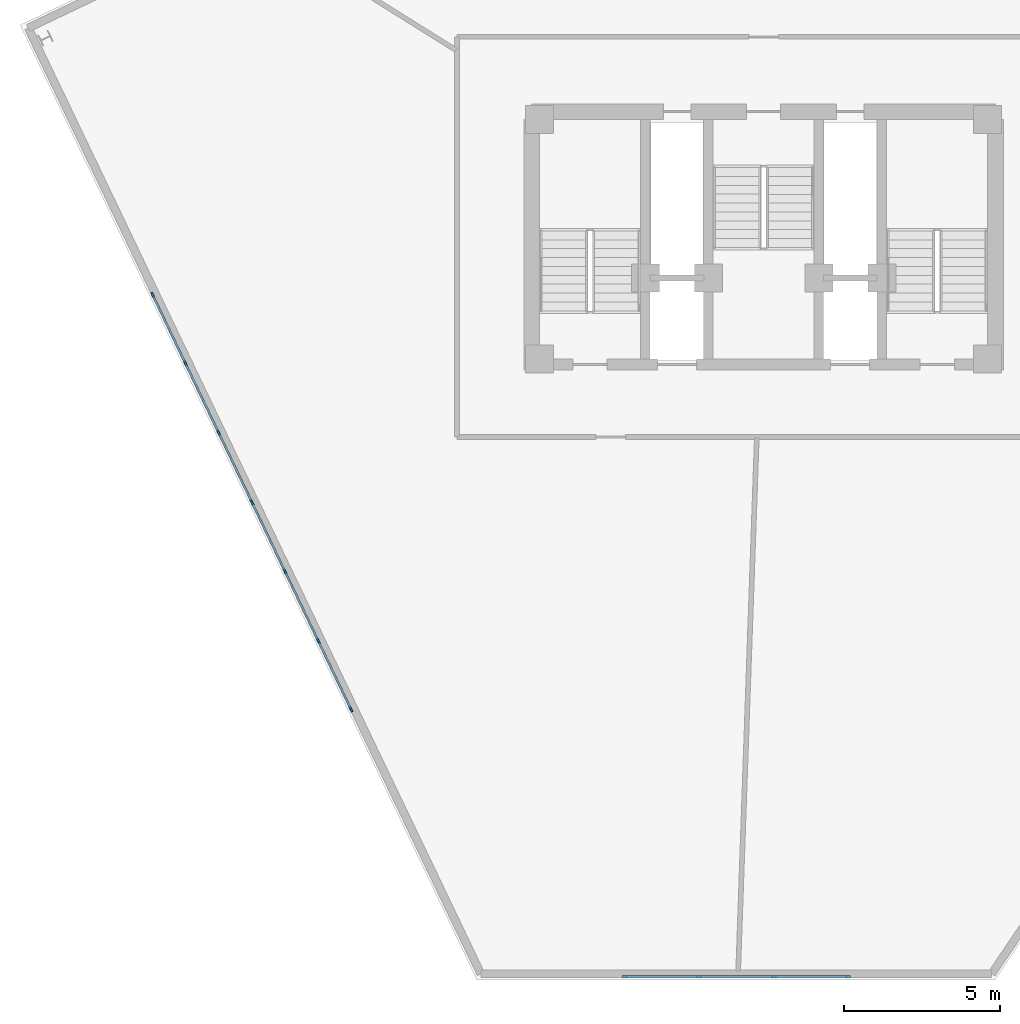
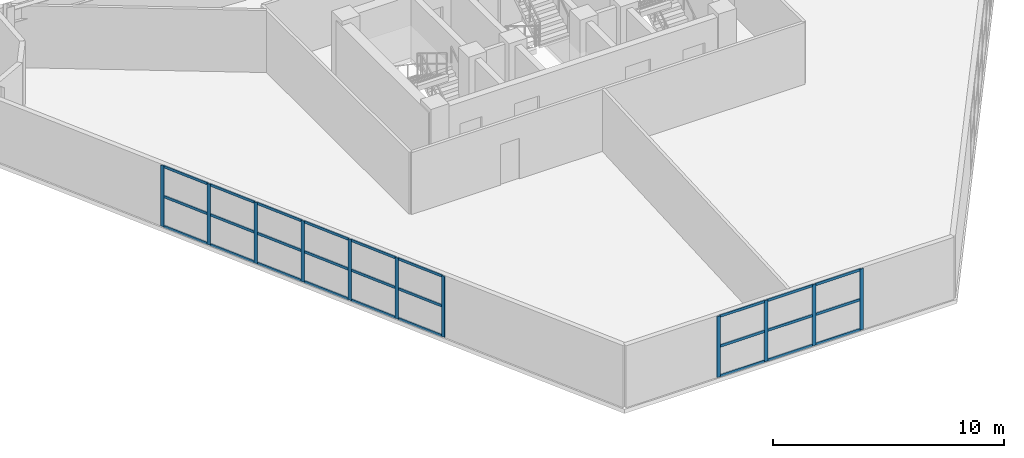
# One storey, part 3 of 8: 38 members, 2 elements without a shape of their own.
"""IFC4 building model written with IfcOpenShell, lengths in metres."""

from ifc_helpers import new_model, si_unit, direction, frame, origin, origin_2d, place, context, subcontext, project, spatial, rectangle, extrude, material, layer, layer_set, material_profile, profile_set, type_object, element, aggregate, save


model = new_model("IFC4")

# Units and contexts
model_context = context("Model", 3, precision=1e-05, world=origin(), true_north=direction((0.0, 1.0)))
body_context = subcontext(model_context, "Body", "Model", "MODEL_VIEW")
ifc_project = project(units=[si_unit("LENGTHUNIT", "METRE"), si_unit("AREAUNIT", "SQUARE_METRE"), si_unit("VOLUMEUNIT", "CUBIC_METRE"), si_unit("PLANEANGLEUNIT", "RADIAN"), si_unit("MASSUNIT", "GRAM", prefix="KILO")], contexts=[model_context])

# Site, building, storey
site_placement = place(None, origin())
site = spatial("IfcSite", under=ifc_project, at=site_placement, CompositionType="ELEMENT")
building_placement = place(site_placement, origin())
building = spatial("IfcBuilding", under=site, at=building_placement, Name="Apsidion Concourse Tower", CompositionType="ELEMENT")
storey_placement = place(building_placement, frame((0.0, 0.0, 336.0)))
storey = spatial("IfcBuildingStorey", under=building, at=storey_placement, Name="L79", CompositionType="ELEMENT", Elevation=336.0)

# Curtain wall, members
ifc_material_1 = material(Name="Insulated laminated low-E glass", Category="glass")
ifc_layer = layer(ifc_material_1, 0.239990234375)
ifc_layer_set = layer_set([ifc_layer], Name="Insulated laminated low-E glass")
curtain_wall_type = type_object("IfcCurtainWallType", Name="CW-SYS-06", PredefinedType="NOTDEFINED", material=ifc_layer_set)
curtain_wall_1_placement = place(storey_placement, origin())
curtain_wall_1 = element("IfcCurtainWall", 1, at=curtain_wall_1_placement, inside=storey, type_object=curtain_wall_type, Name="L79 Slanted Crown Curtain Wall 9", PredefinedType="NOTDEFINED")
ifc_material_2 = material(Name="Anodised aluminium EN AW-6063 T6", Category="aluminium")
ifc_material_profile_1 = material_profile(ifc_material_2, rectangle(XDim=0.06494140625, YDim=0.179931640625, at=origin_2d()), Name="ALU MULLION 65x180")
ifc_profile_set_1 = profile_set([ifc_material_profile_1], Name="Anodised aluminium EN AW-6063 T6")
member_type_1 = type_object("IfcMemberType", Name="CWM-65X180", PredefinedType="MULLION", material=ifc_profile_set_1)
member_1_placement = place(storey_placement, frame((2.700927734375, -18.39501953125, 0.0), z_axis=(0.0, 0.0, 1.0), x_axis=(0.0, -1.0, 0.0)))
member_1 = element("IfcMember", 2, at=member_1_placement, type_object=member_type_1, Name="CW-06 mullion 1", PredefinedType="MULLION", context=body_context, shape_type="SweptSolid", body=[
    extrude(rectangle(XDim=0.06494140625, YDim=0.179931640625, at=origin_2d()), origin(), (0.0, 0.0, 1.0), 3.22998046875),
])
member_2_placement = place(storey_placement, frame((0.325927734375, -18.39501953125, 0.0), z_axis=(0.0, 0.0, 1.0), x_axis=(0.0, -1.0, 0.0)))
member_2 = element("IfcMember", 3, at=member_2_placement, type_object=member_type_1, Name="CW-06 mullion 2", PredefinedType="MULLION", context=body_context, shape_type="SweptSolid", body=[
    extrude(rectangle(XDim=0.06494140625, YDim=0.179931640625, at=origin_2d()), origin(), (0.0, 0.0, 1.0), 3.22998046875),
])
member_3_placement = place(storey_placement, frame((-2.081787109375, -18.39501953125, 0.0), z_axis=(0.0, 0.0, 1.0), x_axis=(0.0, -1.0, 0.0)))
member_3 = element("IfcMember", 4, at=member_3_placement, type_object=member_type_1, Name="CW-06 mullion 3", PredefinedType="MULLION", context=body_context, shape_type="SweptSolid", body=[
    extrude(rectangle(XDim=0.06494140625, YDim=0.179931640625, at=origin_2d()), origin(), (0.0, 0.0, 1.0), 3.22998046875),
])
member_4_placement = place(storey_placement, frame((-4.45703125, -18.39501953125, 0.0), z_axis=(0.0, 0.0, 1.0), x_axis=(0.0, -1.0, 0.0)))
member_4 = element("IfcMember", 5, at=member_4_placement, type_object=member_type_1, Name="CW-06 mullion 4", PredefinedType="MULLION", context=body_context, shape_type="SweptSolid", body=[
    extrude(rectangle(XDim=0.06494140625, YDim=0.179931640625, at=origin_2d()), origin(), (0.0, 0.0, 1.0), 3.22998046875),
])

curtain_wall_2_placement = place(storey_placement, origin())
curtain_wall_2 = element("IfcCurtainWall", 6, at=curtain_wall_2_placement, inside=storey, type_object=curtain_wall_type, Name="L79 Slanted Crown Curtain Wall 10", PredefinedType="NOTDEFINED")
member_5_placement = place(storey_placement, frame((-13.25634765625, -9.803466796875, 0.0), z_axis=(0.0, 0.0, 1.0), x_axis=(-0.902067074387, -0.431595868036, 0.0)))
member_5 = element("IfcMember", 7, at=member_5_placement, type_object=member_type_1, Name="CW-06 mullion 1", PredefinedType="MULLION", context=body_context, shape_type="SweptSolid", body=[
    extrude(rectangle(XDim=0.06494140625, YDim=0.179931640625, at=origin_2d()), origin(), (0.0, 0.0, 1.0), 3.22998046875),
])
member_6_placement = place(storey_placement, frame((-14.30859375, -7.604248046875, 0.0), z_axis=(0.0, 0.0, 1.0), x_axis=(-0.902067074387, -0.431595868036, 0.0)))
member_6 = element("IfcMember", 8, at=member_6_placement, type_object=member_type_1, Name="CW-06 mullion 2", PredefinedType="MULLION", context=body_context, shape_type="SweptSolid", body=[
    extrude(rectangle(XDim=0.06494140625, YDim=0.179931640625, at=origin_2d()), origin(), (0.0, 0.0, 1.0), 3.22998046875),
])
member_7_placement = place(storey_placement, frame((-15.374755859375, -5.3759765625, 0.0), z_axis=(0.0, 0.0, 1.0), x_axis=(-0.902067074387, -0.431595868036, 0.0)))
member_7 = element("IfcMember", 9, at=member_7_placement, type_object=member_type_1, Name="CW-06 mullion 3", PredefinedType="MULLION", context=body_context, shape_type="SweptSolid", body=[
    extrude(rectangle(XDim=0.06494140625, YDim=0.179931640625, at=origin_2d()), origin(), (0.0, 0.0, 1.0), 3.22998046875),
])
member_8_placement = place(storey_placement, frame((-16.44091796875, -3.147705078125, 0.0), z_axis=(0.0, 0.0, 1.0), x_axis=(-0.902067074387, -0.431595868036, 0.0)))
member_8 = element("IfcMember", 10, at=member_8_placement, type_object=member_type_1, Name="CW-06 mullion 4", PredefinedType="MULLION", context=body_context, shape_type="SweptSolid", body=[
    extrude(rectangle(XDim=0.06494140625, YDim=0.179931640625, at=origin_2d()), origin(), (0.0, 0.0, 1.0), 3.22998046875),
])
member_9_placement = place(storey_placement, frame((-17.507080078125, -0.919189453125, 0.0), z_axis=(0.0, 0.0, 1.0), x_axis=(-0.902067074387, -0.431595868036, 0.0)))
member_9 = element("IfcMember", 11, at=member_9_placement, type_object=member_type_1, Name="CW-06 mullion 5", PredefinedType="MULLION", context=body_context, shape_type="SweptSolid", body=[
    extrude(rectangle(XDim=0.06494140625, YDim=0.179931640625, at=origin_2d()), origin(), (0.0, 0.0, 1.0), 3.22998046875),
])
member_10_placement = place(storey_placement, frame((-18.5732421875, 1.30908203125, 0.0), z_axis=(0.0, 0.0, 1.0), x_axis=(-0.902067074387, -0.431595868036, 0.0)))
member_10 = element("IfcMember", 12, at=member_10_placement, type_object=member_type_1, Name="CW-06 mullion 6", PredefinedType="MULLION", context=body_context, shape_type="SweptSolid", body=[
    extrude(rectangle(XDim=0.06494140625, YDim=0.179931640625, at=origin_2d()), origin(), (0.0, 0.0, 1.0), 3.22998046875),
])
member_11_placement = place(storey_placement, frame((-19.62548828125, 3.50830078125, 0.0), z_axis=(0.0, 0.0, 1.0), x_axis=(-0.902067074387, -0.431595868036, 0.0)))
member_11 = element("IfcMember", 13, at=member_11_placement, type_object=member_type_1, Name="CW-06 mullion 7", PredefinedType="MULLION", context=body_context, shape_type="SweptSolid", body=[
    extrude(rectangle(XDim=0.06494140625, YDim=0.179931640625, at=origin_2d()), origin(), (0.0, 0.0, 1.0), 3.22998046875),
])

# Member
ifc_material_profile_2 = material_profile(ifc_material_2, rectangle(XDim=0.06494140625, YDim=0.139892578125, at=origin_2d()), Name="ALU TRANSOM 65x140")
ifc_profile_set_2 = profile_set([ifc_material_profile_2], Name="Anodised aluminium EN AW-6063 T6")
member_type_2 = type_object("IfcMemberType", Name="CWT-65X140", PredefinedType="USERDEFINED", material=ifc_profile_set_2)
member_12_placement = place(storey_placement, frame((2.66845703125, -18.39501953125, 0.032470703125), z_axis=(-1.0, 0.0, 0.0), x_axis=(0.0, -1.0, 0.0)))
member_12 = element("IfcMember", 14, at=member_12_placement, type_object=member_type_2, Name="CW-06 transom 1.1", ObjectType="TRANSOM", PredefinedType="USERDEFINED", context=body_context, shape_type="SweptSolid", body=[
    extrude(rectangle(XDim=0.06494140625, YDim=0.139892578125, at=origin_2d()), origin(), (0.0, 0.0, 1.0), 2.31005859375),
])

member_13_placement = place(storey_placement, frame((2.66845703125, -18.39501953125, 1.614990234375), z_axis=(-1.0, 0.0, 0.0), x_axis=(0.0, -1.0, 0.0)))
member_13 = element("IfcMember", 15, at=member_13_placement, type_object=member_type_2, Name="CW-06 transom 1.2", ObjectType="TRANSOM", PredefinedType="USERDEFINED", context=body_context, shape_type="SweptSolid", body=[
    extrude(rectangle(XDim=0.06494140625, YDim=0.139892578125, at=origin_2d()), origin(), (0.0, 0.0, 1.0), 2.31005859375),
])

member_14_placement = place(storey_placement, frame((2.66845703125, -18.39501953125, 3.197509765625), z_axis=(-1.0, 0.0, 0.0), x_axis=(0.0, -1.0, 0.0)))
member_14 = element("IfcMember", 16, at=member_14_placement, type_object=member_type_2, Name="CW-06 transom 1.3", ObjectType="TRANSOM", PredefinedType="USERDEFINED", context=body_context, shape_type="SweptSolid", body=[
    extrude(rectangle(XDim=0.06494140625, YDim=0.139892578125, at=origin_2d()), origin(), (0.0, 0.0, 1.0), 2.31005859375),
])

member_15_placement = place(storey_placement, frame((0.293212890625, -18.39501953125, 0.032470703125), z_axis=(-1.0, 0.0, 0.0), x_axis=(0.0, -1.0, 0.0)))
member_15 = element("IfcMember", 17, at=member_15_placement, type_object=member_type_2, Name="CW-06 transom 2.1", ObjectType="TRANSOM", PredefinedType="USERDEFINED", context=body_context, shape_type="SweptSolid", body=[
    extrude(rectangle(XDim=0.06494140625, YDim=0.139892578125, at=origin_2d()), origin(), (0.0, 0.0, 1.0), 2.342529296875),
])

member_16_placement = place(storey_placement, frame((0.293212890625, -18.39501953125, 1.614990234375), z_axis=(-1.0, 0.0, 0.0), x_axis=(0.0, -1.0, 0.0)))
member_16 = element("IfcMember", 18, at=member_16_placement, type_object=member_type_2, Name="CW-06 transom 2.2", ObjectType="TRANSOM", PredefinedType="USERDEFINED", context=body_context, shape_type="SweptSolid", body=[
    extrude(rectangle(XDim=0.06494140625, YDim=0.139892578125, at=origin_2d()), origin(), (0.0, 0.0, 1.0), 2.342529296875),
])

member_17_placement = place(storey_placement, frame((0.293212890625, -18.39501953125, 3.197509765625), z_axis=(-1.0, 0.0, 0.0), x_axis=(0.0, -1.0, 0.0)))
member_17 = element("IfcMember", 19, at=member_17_placement, type_object=member_type_2, Name="CW-06 transom 2.3", ObjectType="TRANSOM", PredefinedType="USERDEFINED", context=body_context, shape_type="SweptSolid", body=[
    extrude(rectangle(XDim=0.06494140625, YDim=0.139892578125, at=origin_2d()), origin(), (0.0, 0.0, 1.0), 2.342529296875),
])

member_18_placement = place(storey_placement, frame((-2.1142578125, -18.39501953125, 0.032470703125), z_axis=(-1.0, 0.0, 0.0), x_axis=(0.0, -1.0, 0.0)))
member_18 = element("IfcMember", 20, at=member_18_placement, type_object=member_type_2, Name="CW-06 transom 3.1", ObjectType="TRANSOM", PredefinedType="USERDEFINED", context=body_context, shape_type="SweptSolid", body=[
    extrude(rectangle(XDim=0.06494140625, YDim=0.139892578125, at=origin_2d()), origin(), (0.0, 0.0, 1.0), 2.310302734375),
])

member_19_placement = place(storey_placement, frame((-2.1142578125, -18.39501953125, 1.614990234375), z_axis=(-1.0, 0.0, 0.0), x_axis=(0.0, -1.0, 0.0)))
member_19 = element("IfcMember", 21, at=member_19_placement, type_object=member_type_2, Name="CW-06 transom 3.2", ObjectType="TRANSOM", PredefinedType="USERDEFINED", context=body_context, shape_type="SweptSolid", body=[
    extrude(rectangle(XDim=0.06494140625, YDim=0.139892578125, at=origin_2d()), origin(), (0.0, 0.0, 1.0), 2.310302734375),
])

member_20_placement = place(storey_placement, frame((-2.1142578125, -18.39501953125, 3.197509765625), z_axis=(-1.0, 0.0, 0.0), x_axis=(0.0, -1.0, 0.0)))
member_20 = element("IfcMember", 22, at=member_20_placement, type_object=member_type_2, Name="CW-06 transom 3.3", ObjectType="TRANSOM", PredefinedType="USERDEFINED", context=body_context, shape_type="SweptSolid", body=[
    extrude(rectangle(XDim=0.06494140625, YDim=0.139892578125, at=origin_2d()), origin(), (0.0, 0.0, 1.0), 2.310302734375),
])

aggregate(curtain_wall_1, [member_1, member_2, member_3, member_4, member_12, member_13, member_14, member_15, member_16, member_17, member_18, member_19, member_20])

member_21_placement = place(storey_placement, frame((-13.2705078125, -9.774169921875, 0.032470703125), z_axis=(-0.431506465062, 0.902109843982, 0.0), x_axis=(-0.902109843982, -0.431506465062, 0.0)))
member_21 = element("IfcMember", 23, at=member_21_placement, type_object=member_type_2, Name="CW-06 transom 1.1", ObjectType="TRANSOM", PredefinedType="USERDEFINED", context=body_context, shape_type="SweptSolid", body=[
    extrude(rectangle(XDim=0.06494140625, YDim=0.139892578125, at=origin_2d()), origin(), (0.0, 0.0, 1.0), 2.372802734375),
])

member_22_placement = place(storey_placement, frame((-13.2705078125, -9.774169921875, 1.614990234375), z_axis=(-0.431506465062, 0.902109843982, 0.0), x_axis=(-0.902109843982, -0.431506465062, 0.0)))
member_22 = element("IfcMember", 24, at=member_22_placement, type_object=member_type_2, Name="CW-06 transom 1.2", ObjectType="TRANSOM", PredefinedType="USERDEFINED", context=body_context, shape_type="SweptSolid", body=[
    extrude(rectangle(XDim=0.06494140625, YDim=0.139892578125, at=origin_2d()), origin(), (0.0, 0.0, 1.0), 2.372802734375),
])

member_23_placement = place(storey_placement, frame((-13.2705078125, -9.774169921875, 3.197509765625), z_axis=(-0.431506465062, 0.902109843982, 0.0), x_axis=(-0.902109843982, -0.431506465062, 0.0)))
member_23 = element("IfcMember", 25, at=member_23_placement, type_object=member_type_2, Name="CW-06 transom 1.3", ObjectType="TRANSOM", PredefinedType="USERDEFINED", context=body_context, shape_type="SweptSolid", body=[
    extrude(rectangle(XDim=0.06494140625, YDim=0.139892578125, at=origin_2d()), origin(), (0.0, 0.0, 1.0), 2.372802734375),
])

member_24_placement = place(storey_placement, frame((-14.322509765625, -7.574951171875, 0.032470703125), z_axis=(-0.431595567805, 0.902067218034, 0.0), x_axis=(-0.902067218034, -0.431595567805, 0.0)))
member_24 = element("IfcMember", 26, at=member_24_placement, type_object=member_type_2, Name="CW-06 transom 2.1", ObjectType="TRANSOM", PredefinedType="USERDEFINED", context=body_context, shape_type="SweptSolid", body=[
    extrude(rectangle(XDim=0.06494140625, YDim=0.139892578125, at=origin_2d()), origin(), (0.0, 0.0, 1.0), 2.4052734375),
])

member_25_placement = place(storey_placement, frame((-14.322509765625, -7.574951171875, 1.614990234375), z_axis=(-0.431595567805, 0.902067218034, 0.0), x_axis=(-0.902067218034, -0.431595567805, 0.0)))
member_25 = element("IfcMember", 27, at=member_25_placement, type_object=member_type_2, Name="CW-06 transom 2.2", ObjectType="TRANSOM", PredefinedType="USERDEFINED", context=body_context, shape_type="SweptSolid", body=[
    extrude(rectangle(XDim=0.06494140625, YDim=0.139892578125, at=origin_2d()), origin(), (0.0, 0.0, 1.0), 2.4052734375),
])

member_26_placement = place(storey_placement, frame((-14.322509765625, -7.574951171875, 3.197509765625), z_axis=(-0.431595567805, 0.902067218034, 0.0), x_axis=(-0.902067218034, -0.431595567805, 0.0)))
member_26 = element("IfcMember", 28, at=member_26_placement, type_object=member_type_2, Name="CW-06 transom 2.3", ObjectType="TRANSOM", PredefinedType="USERDEFINED", context=body_context, shape_type="SweptSolid", body=[
    extrude(rectangle(XDim=0.06494140625, YDim=0.139892578125, at=origin_2d()), origin(), (0.0, 0.0, 1.0), 2.4052734375),
])

member_27_placement = place(storey_placement, frame((-15.388671875, -5.3466796875, 0.032470703125), z_axis=(-0.431595567805, 0.902067218034, 0.0), x_axis=(-0.902067218034, -0.431595567805, 0.0)))
member_27 = element("IfcMember", 29, at=member_27_placement, type_object=member_type_2, Name="CW-06 transom 3.1", ObjectType="TRANSOM", PredefinedType="USERDEFINED", context=body_context, shape_type="SweptSolid", body=[
    extrude(rectangle(XDim=0.06494140625, YDim=0.139892578125, at=origin_2d()), origin(), (0.0, 0.0, 1.0), 2.4052734375),
])

member_28_placement = place(storey_placement, frame((-15.388671875, -5.3466796875, 1.614990234375), z_axis=(-0.431595567805, 0.902067218034, 0.0), x_axis=(-0.902067218034, -0.431595567805, 0.0)))
member_28 = element("IfcMember", 30, at=member_28_placement, type_object=member_type_2, Name="CW-06 transom 3.2", ObjectType="TRANSOM", PredefinedType="USERDEFINED", context=body_context, shape_type="SweptSolid", body=[
    extrude(rectangle(XDim=0.06494140625, YDim=0.139892578125, at=origin_2d()), origin(), (0.0, 0.0, 1.0), 2.4052734375),
])

member_29_placement = place(storey_placement, frame((-15.388671875, -5.3466796875, 3.197509765625), z_axis=(-0.431595567805, 0.902067218034, 0.0), x_axis=(-0.902067218034, -0.431595567805, 0.0)))
member_29 = element("IfcMember", 31, at=member_29_placement, type_object=member_type_2, Name="CW-06 transom 3.3", ObjectType="TRANSOM", PredefinedType="USERDEFINED", context=body_context, shape_type="SweptSolid", body=[
    extrude(rectangle(XDim=0.06494140625, YDim=0.139892578125, at=origin_2d()), origin(), (0.0, 0.0, 1.0), 2.4052734375),
])

member_30_placement = place(storey_placement, frame((-16.454833984375, -3.1181640625, 0.032470703125), z_axis=(-0.431595567805, 0.902067218034, 0.0), x_axis=(-0.902067218034, -0.431595567805, 0.0)))
member_30 = element("IfcMember", 32, at=member_30_placement, type_object=member_type_2, Name="CW-06 transom 4.1", ObjectType="TRANSOM", PredefinedType="USERDEFINED", context=body_context, shape_type="SweptSolid", body=[
    extrude(rectangle(XDim=0.06494140625, YDim=0.139892578125, at=origin_2d()), origin(), (0.0, 0.0, 1.0), 2.4052734375),
])

member_31_placement = place(storey_placement, frame((-16.454833984375, -3.1181640625, 1.614990234375), z_axis=(-0.431595567805, 0.902067218034, 0.0), x_axis=(-0.902067218034, -0.431595567805, 0.0)))
member_31 = element("IfcMember", 33, at=member_31_placement, type_object=member_type_2, Name="CW-06 transom 4.2", ObjectType="TRANSOM", PredefinedType="USERDEFINED", context=body_context, shape_type="SweptSolid", body=[
    extrude(rectangle(XDim=0.06494140625, YDim=0.139892578125, at=origin_2d()), origin(), (0.0, 0.0, 1.0), 2.4052734375),
])

member_32_placement = place(storey_placement, frame((-16.454833984375, -3.1181640625, 3.197509765625), z_axis=(-0.431595567805, 0.902067218034, 0.0), x_axis=(-0.902067218034, -0.431595567805, 0.0)))
member_32 = element("IfcMember", 34, at=member_32_placement, type_object=member_type_2, Name="CW-06 transom 4.3", ObjectType="TRANSOM", PredefinedType="USERDEFINED", context=body_context, shape_type="SweptSolid", body=[
    extrude(rectangle(XDim=0.06494140625, YDim=0.139892578125, at=origin_2d()), origin(), (0.0, 0.0, 1.0), 2.4052734375),
])

member_33_placement = place(storey_placement, frame((-17.52099609375, -0.889892578125, 0.032470703125), z_axis=(-0.431678158853, 0.902027697562, 0.0), x_axis=(-0.902027697562, -0.431678158853, 0.0)))
member_33 = element("IfcMember", 35, at=member_33_placement, type_object=member_type_2, Name="CW-06 transom 5.1", ObjectType="TRANSOM", PredefinedType="USERDEFINED", context=body_context, shape_type="SweptSolid", body=[
    extrude(rectangle(XDim=0.06494140625, YDim=0.139892578125, at=origin_2d()), origin(), (0.0, 0.0, 1.0), 2.4052734375),
])

member_34_placement = place(storey_placement, frame((-17.52099609375, -0.889892578125, 1.614990234375), z_axis=(-0.431678158853, 0.902027697562, 0.0), x_axis=(-0.902027697562, -0.431678158853, 0.0)))
member_34 = element("IfcMember", 36, at=member_34_placement, type_object=member_type_2, Name="CW-06 transom 5.2", ObjectType="TRANSOM", PredefinedType="USERDEFINED", context=body_context, shape_type="SweptSolid", body=[
    extrude(rectangle(XDim=0.06494140625, YDim=0.139892578125, at=origin_2d()), origin(), (0.0, 0.0, 1.0), 2.4052734375),
])

member_35_placement = place(storey_placement, frame((-17.52099609375, -0.889892578125, 3.197509765625), z_axis=(-0.431678158853, 0.902027697562, 0.0), x_axis=(-0.902027697562, -0.431678158853, 0.0)))
member_35 = element("IfcMember", 37, at=member_35_placement, type_object=member_type_2, Name="CW-06 transom 5.3", ObjectType="TRANSOM", PredefinedType="USERDEFINED", context=body_context, shape_type="SweptSolid", body=[
    extrude(rectangle(XDim=0.06494140625, YDim=0.139892578125, at=origin_2d()), origin(), (0.0, 0.0, 1.0), 2.4052734375),
])

member_36_placement = place(storey_placement, frame((-18.587158203125, 1.33837890625, 0.032470703125), z_axis=(-0.431630246628, 0.902050625074, 0.0), x_axis=(-0.902050625074, -0.431630246628, 0.0)))
member_36 = element("IfcMember", 38, at=member_36_placement, type_object=member_type_2, Name="CW-06 transom 6.1", ObjectType="TRANSOM", PredefinedType="USERDEFINED", context=body_context, shape_type="SweptSolid", body=[
    extrude(rectangle(XDim=0.06494140625, YDim=0.139892578125, at=origin_2d()), origin(), (0.0, 0.0, 1.0), 2.372802734375),
])

member_37_placement = place(storey_placement, frame((-18.587158203125, 1.33837890625, 1.614990234375), z_axis=(-0.431630246628, 0.902050625074, 0.0), x_axis=(-0.902050625074, -0.431630246628, 0.0)))
member_37 = element("IfcMember", 39, at=member_37_placement, type_object=member_type_2, Name="CW-06 transom 6.2", ObjectType="TRANSOM", PredefinedType="USERDEFINED", context=body_context, shape_type="SweptSolid", body=[
    extrude(rectangle(XDim=0.06494140625, YDim=0.139892578125, at=origin_2d()), origin(), (0.0, 0.0, 1.0), 2.372802734375),
])

member_38_placement = place(storey_placement, frame((-18.587158203125, 1.33837890625, 3.197509765625), z_axis=(-0.431630246628, 0.902050625074, 0.0), x_axis=(-0.902050625074, -0.431630246628, 0.0)))
member_38 = element("IfcMember", 40, at=member_38_placement, type_object=member_type_2, Name="CW-06 transom 6.3", ObjectType="TRANSOM", PredefinedType="USERDEFINED", context=body_context, shape_type="SweptSolid", body=[
    extrude(rectangle(XDim=0.06494140625, YDim=0.139892578125, at=origin_2d()), origin(), (0.0, 0.0, 1.0), 2.372802734375),
])

aggregate(curtain_wall_2, [member_5, member_6, member_7, member_8, member_9, member_10, member_11, member_21, member_22, member_23, member_24, member_25, member_26, member_27, member_28, member_29, member_30, member_31, member_32, member_33, member_34, member_35, member_36, member_37, member_38])

save(model, "model.ifc")
